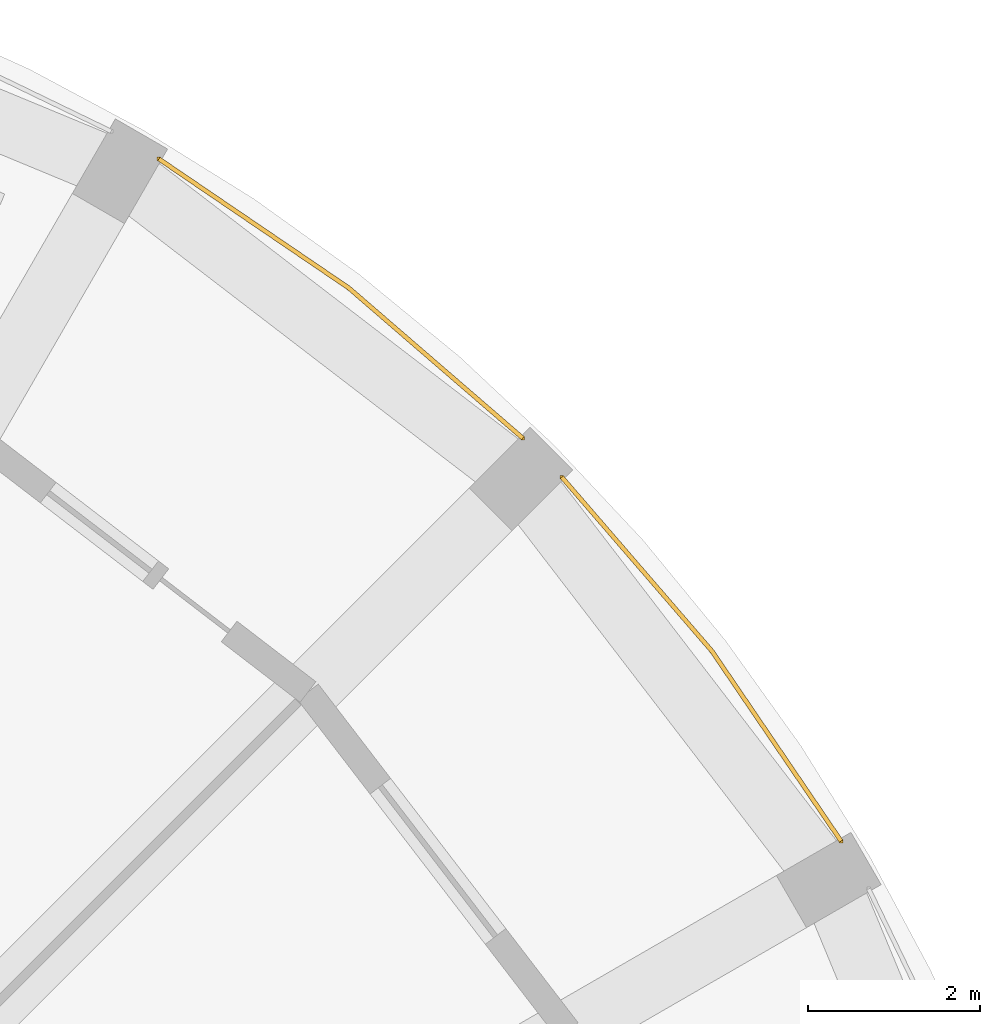
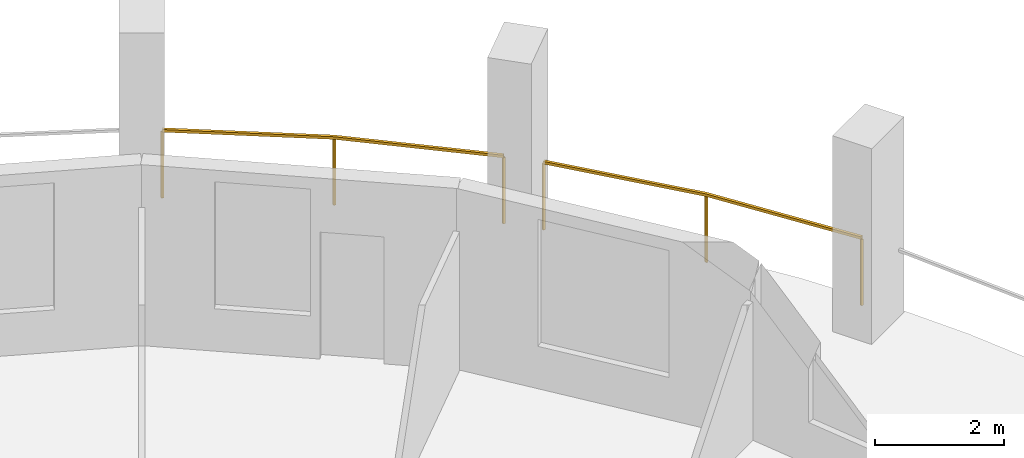
# One storey, part 9 of 9: 2 railings.
"""IFC4 building model written with IfcOpenShell, lengths in metres."""

from ifc_helpers import new_model, si_unit, direction, frame, origin, origin_2d, place, context, subcontext, project, spatial, rectangle, extrude, material, type_object, element, save


model = new_model("IFC4")

# Units and contexts
model_context = context("Model", 3, precision=1e-05, world=origin(), true_north=direction((0.0, 1.0)))
body_context = subcontext(model_context, "Body", "Model", "MODEL_VIEW")
ifc_project = project(units=[si_unit("LENGTHUNIT", "METRE"), si_unit("AREAUNIT", "SQUARE_METRE"), si_unit("VOLUMEUNIT", "CUBIC_METRE"), si_unit("PLANEANGLEUNIT", "RADIAN"), si_unit("MASSUNIT", "GRAM", prefix="KILO")], contexts=[model_context])

# Site, building, storey
site_placement = place(None, origin())
site = spatial("IfcSite", under=ifc_project, at=site_placement, CompositionType="ELEMENT")
building_placement = place(site_placement, origin())
building = spatial("IfcBuilding", under=site, at=building_placement, Name="Torre Triforio", CompositionType="ELEMENT")
storey_placement = place(building_placement, frame((0.0, 0.0, 154.199951171875)))
storey = spatial("IfcBuildingStorey", under=building, at=storey_placement, Name="L34", CompositionType="ELEMENT", Elevation=154.199951171875)

# Railings
ifc_material = material(Name="Stainless steel AISI 316", Category="steel")
railing_type = type_object("IfcRailingType", Name="Loggia guard 1300", PredefinedType="GUARDRAIL", material=ifc_material)
railing_1_placement = place(storey_placement, frame((19.628662109375, 11.7021484375, 0.0)))
element("IfcRailing", 1, at=railing_1_placement, inside=storey, type_object=railing_type, Name="Loggia guard L34 bay 03", PredefinedType="GUARDRAIL", context=body_context, shape_type="SweptSolid", body=[
    extrude(rectangle(XDim=0.050048828125, YDim=0.050048828125, at=origin_2d()), frame((0.0, 0.0, 1.27490234375), z_axis=(-0.562064856935, 0.827093160774, 0.0), x_axis=(-0.827093160774, -0.562064856935, 0.0)), (0.0, 0.0, 1.0), 2.669677734375),
    extrude(rectangle(XDim=0.050048828125, YDim=0.050048828125, at=origin_2d()), frame((-1.50048828125, 2.2080078125, 1.27490234375), z_axis=(-0.653400799038, 0.757012150376, 0.0), x_axis=(-0.757012150376, -0.653400799038, 0.0)), (0.0, 0.0, 1.0), 2.669677734375),
    extrude(rectangle(XDim=0.0400390625, YDim=0.0400390625, at=origin_2d()), origin(), (0.0, 0.0, 1.0), 1.25),
    extrude(rectangle(XDim=0.0400390625, YDim=0.0400390625, at=origin_2d()), frame((-1.50048828125, 2.2080078125, 0.0)), (0.0, 0.0, 1.0), 1.25),
    extrude(rectangle(XDim=0.0400390625, YDim=0.0400390625, at=origin_2d()), frame((-3.244873046875, 4.22900390625, 0.0)), (0.0, 0.0, 1.0), 1.25),
])
railing_2_placement = place(storey_placement, frame((15.93115234375, 16.3837890625, 0.0)))
element("IfcRailing", 2, at=railing_2_placement, inside=storey, type_object=railing_type, Name="Loggia guard L34 bay 04", PredefinedType="GUARDRAIL", context=body_context, shape_type="SweptSolid", body=[
    extrude(rectangle(XDim=0.050048828125, YDim=0.050048828125, at=origin_2d()), frame((0.0, 0.0, 1.27490234375), z_axis=(-0.757012150376, 0.653400799038, 0.0), x_axis=(-0.653400799038, -0.757012150376, 0.0)), (0.0, 0.0, 1.0), 2.669677734375),
    extrude(rectangle(XDim=0.050048828125, YDim=0.050048828125, at=origin_2d()), frame((-2.02099609375, 1.744384765625, 1.27490234375), z_axis=(-0.827093160774, 0.562064856935, 0.0), x_axis=(-0.562064856935, -0.827093160774, 0.0)), (0.0, 0.0, 1.0), 2.669677734375),
    extrude(rectangle(XDim=0.0400390625, YDim=0.0400390625, at=origin_2d()), origin(), (0.0, 0.0, 1.0), 1.25),
    extrude(rectangle(XDim=0.0400390625, YDim=0.0400390625, at=origin_2d()), frame((-2.02099609375, 1.744384765625, 0.0)), (0.0, 0.0, 1.0), 1.25),
    extrude(rectangle(XDim=0.0400390625, YDim=0.0400390625, at=origin_2d()), frame((-4.22900390625, 3.244873046875, 0.0)), (0.0, 0.0, 1.0), 1.25),
])

save(model, "model.ifc")
